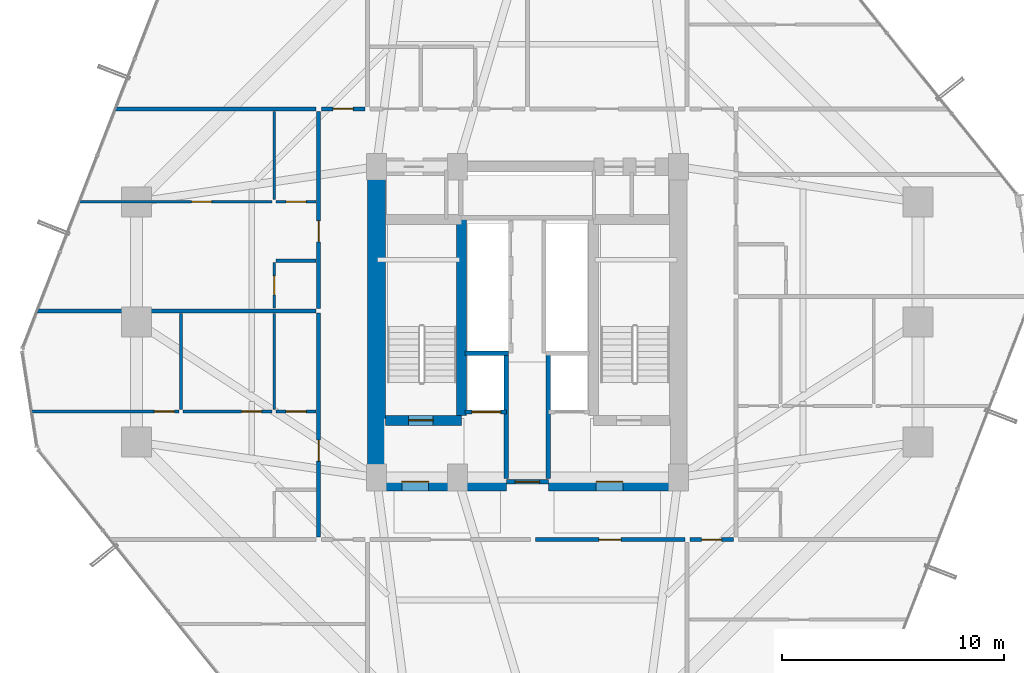
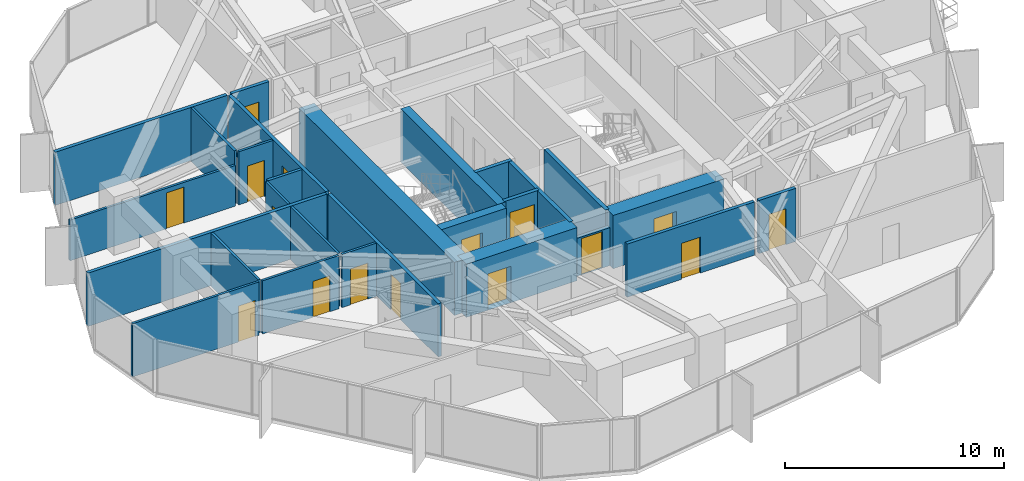
# One storey, part 33 of 37: 27 walls, 16 doors, 16 openings.
"""IFC4 building model written with IfcOpenShell, lengths in metres."""

from ifc_helpers import new_model, si_unit, direction, frame, frame_2d, origin, place, context, subcontext, project, spatial, rectangle, extrude, source, transform, mapped, material, layer, layer_set, type_object, element, fill, save


model = new_model("IFC4")

# Units and contexts
model_context = context("Model", 3, precision=1e-05, world=origin(), true_north=direction((0.0, 1.0)))
body_context = subcontext(model_context, "Body", "Model", "MODEL_VIEW")
ifc_project = project(units=[si_unit("LENGTHUNIT", "METRE"), si_unit("AREAUNIT", "SQUARE_METRE"), si_unit("VOLUMEUNIT", "CUBIC_METRE"), si_unit("PLANEANGLEUNIT", "RADIAN"), si_unit("MASSUNIT", "GRAM", prefix="KILO")], contexts=[model_context])

# Site, building, storey
site_placement = place(None, origin())
site = spatial("IfcSite", under=ifc_project, at=site_placement, CompositionType="ELEMENT")
building_placement = place(site_placement, origin())
building = spatial("IfcBuilding", under=site, at=building_placement, Name="Veraguas Prism Commons", CompositionType="ELEMENT")
storey_placement = place(building_placement, frame((0.0, 0.0, 53.300048828125)))
storey = spatial("IfcBuildingStorey", under=building, at=storey_placement, Name="L14", CompositionType="ELEMENT", Elevation=53.300048828125)

# Wall, opening, door
ifc_material_1 = material(Name="Concrete C60/75", Category="concrete")
ifc_layer_1 = layer(ifc_material_1, 0.449951171875, Name="Core Internal Shear Wall Lower RC 450", Category="concrete")
ifc_layer_set_1 = layer_set([ifc_layer_1], Name="Concrete C60/75")
wall_type_1 = type_object("IfcWallType", Name="Core Internal Shear Wall Lower RC 450", PredefinedType="SHEAR", material=ifc_layer_set_1)
wall_1_placement = place(storey_placement, frame((17.60009765625, 19.574951171875, 0.0), z_axis=(0.0, 0.0, 1.0), x_axis=(1.0, 0.0, 0.0)))
wall_1 = element("IfcWall", 1, at=wall_1_placement, inside=storey, type_object=wall_type_1, Name="Stair ST-01 South Shear Wall L14", PredefinedType="SHEAR", context=body_context, shape_type="SweptSolid", body=[
    extrude(rectangle(XDim=3.4248046875, YDim=0.449951171875, at=frame_2d((1.71240234375, 0.0))), origin(), (0.0, 0.0, 1.0), 2.969970703125),
])
opening_1_placement = place(wall_1_placement, frame((1.050048828125, 0.0, 0.0)))
opening_1 = element("IfcOpeningElement", 2, at=opening_1_placement, cuts=wall_1, Name="Opening DR-05", PredefinedType="OPENING", context=body_context, shape_type="SweptSolid", body=[
    extrude(rectangle(XDim=1.10009765625, YDim=2.030029296875, at=frame_2d((0.550048828125, 1.01513671875))), frame((0.0, 0.23486328125, 0.0), z_axis=(0.0, -1.0, 0.0), x_axis=(1.0, 0.0, 0.0)), (0.0, 0.0, 1.0), 0.469970703125),
])
ifc_material_2 = material(Name="Steel fire-rated door assembly", Category="steel")
door_type_1 = type_object("IfcDoorType", Name="Protected Stair and Refuge Fire Door 1100x2030", OperationType="NOTDEFINED", PredefinedType="DOOR", material=ifc_material_2)
shared_shape_1 = source(origin(), body_context, "Body", "SweptSolid", [
    extrude(rectangle(XDim=1.10009765625, YDim=2.030029296875, at=frame_2d((0.550048828125, 1.01513671875))), frame((0.0, 0.02490234375, 0.0), z_axis=(0.0, -1.0, 0.0), x_axis=(1.0, 0.0, 0.0)), (0.0, 0.0, 1.0), 0.050048828125),
])
door_1_placement = place(opening_1_placement, origin())
door_1 = element("IfcDoor", 3, at=door_1_placement, inside=storey, type_object=door_type_1, Name="Stair ST-01 Enclosure Door L14", OperationType="SINGLE_SWING_LEFT", OverallHeight=2.030029296875, OverallWidth=1.10009765625, PredefinedType="DOOR", context=body_context, shape_type="MappedRepresentation", body=[
    mapped(shared_shape_1, transform((0.0, 0.0, 0.0), scale=1.0)),
])
fill(opening_1, door_1)

# Walls
wall_2_placement = place(storey_placement, frame((21.02490234375, 19.800048828125, 0.0), z_axis=(0.0, 0.0, 1.0), x_axis=(0.0, 1.0, 0.0)))
element("IfcWall", 4, at=wall_2_placement, inside=storey, type_object=wall_type_1, Name="Stair ST-01 Inner Shear Wall L14", PredefinedType="SHEAR", context=body_context, shape_type="SweptSolid", body=[
    extrude(rectangle(XDim=8.824951171875, YDim=0.449951171875, at=frame_2d((4.41259765625, 0.0))), origin(), (0.0, 0.0, 1.0), 2.969970703125),
])
ifc_layer_2 = layer(ifc_material_1, 0.800048828125, Name="Core Outer Shear Wall Lower RC 800", Category="concrete")
ifc_layer_set_2 = layer_set([ifc_layer_2], Name="Concrete C60/75")
wall_type_2 = type_object("IfcWallType", Name="Core Outer Shear Wall Lower RC 800", PredefinedType="SHEAR", material=ifc_layer_set_2)
wall_3_placement = place(storey_placement, frame((17.199951171875, 16.800048828125, 0.0), z_axis=(0.0, 0.0, 1.0), x_axis=(0.0, 1.0, 0.0)))
element("IfcWall", 5, at=wall_3_placement, inside=storey, type_object=wall_type_2, Name="Central Core West Shear Wall L14", PredefinedType="SHEAR", context=body_context, shape_type="SweptSolid", body=[
    extrude(rectangle(XDim=14.199951171875, YDim=0.800048828125, at=frame_2d((7.10009765625, 0.0))), origin(), (0.0, 0.0, 1.0), 2.969970703125),
])

# Wall, opening, door
wall_4_placement = place(storey_placement, frame((17.199951171875, 16.800048828125, 0.0), z_axis=(0.0, 0.0, 1.0), x_axis=(1.0, 0.0, 0.0)))
wall_4 = element("IfcWall", 6, at=wall_4_placement, inside=storey, type_object=wall_type_2, Name="Central Core South-West Shear Wall L14", PredefinedType="SHEAR", context=body_context, shape_type="SweptSolid", body=[
    extrude(rectangle(XDim=5.85009765625, YDim=0.800048828125, at=frame_2d((2.925048828125, 0.0))), origin(), (0.0, 0.0, 1.0), 2.969970703125),
])
opening_2_placement = place(wall_4_placement, frame((1.14990234375, 0.0, 0.0)))
opening_2 = element("IfcOpeningElement", 7, at=opening_2_placement, cuts=wall_4, Name="Opening DR-06", PredefinedType="OPENING", context=body_context, shape_type="SweptSolid", body=[
    extrude(rectangle(XDim=1.199951171875, YDim=2.030029296875, at=frame_2d((0.60009765625, 1.01513671875))), frame((0.0, 0.409912109375, 0.0), z_axis=(0.0, -1.0, 0.0), x_axis=(1.0, 0.0, 0.0)), (0.0, 0.0, 1.0), 0.820068359375),
])
door_type_2 = type_object("IfcDoorType", Name="Firefighting Lobby Smoke Door 1200x2030", OperationType="NOTDEFINED", PredefinedType="DOOR", material=ifc_material_2)
shared_shape_2 = source(origin(), body_context, "Body", "SweptSolid", [
    extrude(rectangle(XDim=1.199951171875, YDim=2.030029296875, at=frame_2d((0.60009765625, 1.01513671875))), frame((0.0, 0.02490234375, 0.0), z_axis=(0.0, -1.0, 0.0), x_axis=(1.0, 0.0, 0.0)), (0.0, 0.0, 1.0), 0.050048828125),
])
door_2_placement = place(opening_2_placement, origin())
door_2 = element("IfcDoor", 8, at=door_2_placement, inside=storey, type_object=door_type_2, Name="West FF Lobby Door L14", OperationType="SINGLE_SWING_LEFT", OverallHeight=2.030029296875, OverallWidth=1.199951171875, PredefinedType="DOOR", context=body_context, shape_type="MappedRepresentation", body=[
    mapped(shared_shape_2, transform((0.0, 0.0, 0.0), scale=1.0)),
])
fill(opening_2, door_2)

wall_5_placement = place(storey_placement, frame((24.949951171875, 16.800048828125, 0.0), z_axis=(0.0, 0.0, 1.0), x_axis=(1.0, 0.0, 0.0)))
wall_5 = element("IfcWall", 9, at=wall_5_placement, inside=storey, type_object=wall_type_2, Name="Central Core South-East Shear Wall L14", PredefinedType="SHEAR", context=body_context, shape_type="SweptSolid", body=[
    extrude(rectangle(XDim=5.85009765625, YDim=0.800048828125, at=frame_2d((2.925048828125, 0.0))), origin(), (0.0, 0.0, 1.0), 2.969970703125),
])
opening_3_placement = place(wall_5_placement, frame((2.14990234375, 0.0, 0.0)))
opening_3 = element("IfcOpeningElement", 10, at=opening_3_placement, cuts=wall_5, Name="Opening DR-06", PredefinedType="OPENING", context=body_context, shape_type="SweptSolid", body=[
    extrude(rectangle(XDim=1.199951171875, YDim=2.030029296875, at=frame_2d((0.60009765625, 1.01513671875))), frame((0.0, 0.409912109375, 0.0), z_axis=(0.0, -1.0, 0.0), x_axis=(1.0, 0.0, 0.0)), (0.0, 0.0, 1.0), 0.820068359375),
])
door_3_placement = place(opening_3_placement, origin())
door_3 = element("IfcDoor", 11, at=door_3_placement, inside=storey, type_object=door_type_2, Name="East FF Lobby Door L14", OperationType="SINGLE_SWING_LEFT", OverallHeight=2.030029296875, OverallWidth=1.199951171875, PredefinedType="DOOR", context=body_context, shape_type="MappedRepresentation", body=[
    mapped(shared_shape_2, transform((0.0, 0.0, 0.0), scale=1.0)),
])
fill(opening_3, door_3)

ifc_material_3 = material(Name="Autoclaved aerated masonry block 10 MPa", Category="masonry")
ifc_layer_3 = layer(ifc_material_3, 0.179931640625, Name="Corridor and Inter-Tenancy Partition 180", Category="masonry")
ifc_layer_set_3 = layer_set([ifc_layer_3], Name="Autoclaved aerated masonry block 10 MPa")
wall_type_3 = type_object("IfcWallType", Name="Corridor and Inter-Tenancy Partition 180", PredefinedType="PARTITIONING", material=ifc_layer_set_3)
wall_6_placement = place(storey_placement, frame((24.367919921875, 14.199951171875, 0.0), z_axis=(0.0, 0.0, 1.0), x_axis=(1.0, 0.0, 0.0)))
wall_6 = element("IfcWall", 12, at=wall_6_placement, inside=storey, type_object=wall_type_3, Name="WL-L14-PT004", PredefinedType="PARTITIONING", context=body_context, shape_type="SweptSolid", body=[
    extrude(rectangle(XDim=6.72216796875, YDim=0.179931640625, at=frame_2d((3.361083984375, 0.0))), origin(), (0.0, 0.0, 1.0), 2.969970703125),
])
opening_4_placement = place(wall_6_placement, frame((2.861083984375, 0.0, 0.0)))
opening_4 = element("IfcOpeningElement", 13, at=opening_4_placement, cuts=wall_6, Name="Opening DR-13", PredefinedType="OPENING", context=body_context, shape_type="SweptSolid", body=[
    extrude(rectangle(XDim=1.0, YDim=2.010009765625, at=frame_2d((0.5, 1.0048828125))), frame((0.0, 0.099853515625, 0.0), z_axis=(0.0, -1.0, 0.0), x_axis=(1.0, 0.0, 0.0)), (0.0, 0.0, 1.0), 0.199951171875),
])
door_type_3 = type_object("IfcDoorType", Name="Core Accessible WC and Clinic Fire Door 1000x2010", OperationType="NOTDEFINED", PredefinedType="DOOR", material=ifc_material_2)
shared_shape_3 = source(origin(), body_context, "Body", "SweptSolid", [
    extrude(rectangle(XDim=1.0, YDim=2.010009765625, at=frame_2d((0.5, 1.0048828125))), frame((0.0, 0.02490234375, 0.0), z_axis=(0.0, -1.0, 0.0), x_axis=(1.0, 0.0, 0.0)), (0.0, 0.0, 1.0), 0.050048828125),
])
door_4_placement = place(opening_4_placement, origin())
door_4 = element("IfcDoor", 14, at=door_4_placement, inside=storey, type_object=door_type_3, Name="Community Multipurpose Assembly Hall Door 2", OperationType="SINGLE_SWING_RIGHT", OverallHeight=2.010009765625, OverallWidth=1.0, PredefinedType="DOOR", context=body_context, shape_type="MappedRepresentation", body=[
    mapped(shared_shape_3, transform((0.0, 0.0, 0.0), scale=1.0)),
])
fill(opening_4, door_4)

# Wall
wall_7_placement = place(storey_placement, frame((14.47998046875, 33.60009765625, 0.0), z_axis=(0.0, 0.0, 1.0), x_axis=(-1.0, 0.0, 0.0)))
element("IfcWall", 15, at=wall_7_placement, inside=storey, type_object=wall_type_3, Name="WL-L14-PT017", PredefinedType="PARTITIONING", context=body_context, shape_type="SweptSolid", body=[
    extrude(rectangle(XDim=9.082763671875, YDim=0.179931640625, at=frame_2d((4.54150390625, 0.0))), origin(), (0.0, 0.0, 1.0), 2.969970703125),
])

# Wall, opening, door
wall_8_placement = place(storey_placement, frame((14.60009765625, 14.31005859375, 0.0), z_axis=(0.0, 0.0, 1.0), x_axis=(0.0, 1.0, 0.0)))
wall_8 = element("IfcWall", 16, at=wall_8_placement, inside=storey, type_object=wall_type_3, Name="WL-L14-PT018", PredefinedType="PARTITIONING", context=body_context, shape_type="SweptSolid", body=[
    extrude(rectangle(XDim=10.087890625, YDim=0.179931640625, at=frame_2d((5.0439453125, 0.0))), origin(), (0.0, 0.0, 1.0), 2.969970703125),
])
opening_5_placement = place(wall_8_placement, frame((3.426025390625, 0.0, 0.0)))
opening_5 = element("IfcOpeningElement", 17, at=opening_5_placement, cuts=wall_8, Name="Opening DR-01", PredefinedType="OPENING", context=body_context, shape_type="SweptSolid", body=[
    extrude(rectangle(XDim=0.949951171875, YDim=2.02001953125, at=frame_2d((0.47509765625, 1.010009765625))), frame((0.0, 0.099853515625, 0.0), z_axis=(0.0, -1.0, 0.0), x_axis=(1.0, 0.0, 0.0)), (0.0, 0.0, 1.0), 0.199951171875),
])
ifc_material_4 = material(Name="Anodised aluminium EN AW-6063 T6", Category="aluminium")
door_type_4 = type_object("IfcDoorType", Name="Apartment Entrance Fire Door 950x2020", OperationType="NOTDEFINED", PredefinedType="DOOR", material=ifc_material_4)
shared_shape_4 = source(origin(), body_context, "Body", "SweptSolid", [
    extrude(rectangle(XDim=0.949951171875, YDim=2.02001953125, at=frame_2d((0.47509765625, 1.010009765625))), frame((0.0, 0.02490234375, 0.0), z_axis=(0.0, -1.0, 0.0), x_axis=(1.0, 0.0, 0.0)), (0.0, 0.0, 1.0), 0.050048828125),
])
door_5_placement = place(opening_5_placement, origin())
door_5 = element("IfcDoor", 18, at=door_5_placement, inside=storey, type_object=door_type_4, Name="Flat 14A Entrance Door", OperationType="SINGLE_SWING_LEFT", OverallHeight=2.02001953125, OverallWidth=0.949951171875, PredefinedType="DOOR", context=body_context, shape_type="MappedRepresentation", body=[
    mapped(shared_shape_4, transform((0.0, 0.0, 0.0), scale=1.0)),
])
fill(opening_5, door_5)

# Wall
wall_9_placement = place(storey_placement, frame((14.47998046875, 24.508056640625, 0.0), z_axis=(0.0, 0.0, 1.0), x_axis=(-1.0, 0.0, 0.0)))
element("IfcWall", 19, at=wall_9_placement, inside=storey, type_object=wall_type_3, Name="WL-L14-PT026", PredefinedType="PARTITIONING", context=body_context, shape_type="SweptSolid", body=[
    extrude(rectangle(XDim=12.60546875, YDim=0.179931640625, at=frame_2d((6.302734375, 0.0))), origin(), (0.0, 0.0, 1.0), 2.969970703125),
])

# Wall, opening, door
wall_10_placement = place(storey_placement, frame((14.60009765625, 24.617919921875, 0.0), z_axis=(0.0, 0.0, 1.0), x_axis=(0.0, 1.0, 0.0)))
wall_10 = element("IfcWall", 20, at=wall_10_placement, inside=storey, type_object=wall_type_3, Name="WL-L14-PT027", PredefinedType="PARTITIONING", context=body_context, shape_type="SweptSolid", body=[
    extrude(rectangle(XDim=8.8720703125, YDim=0.179931640625, at=frame_2d((4.43603515625, 0.0))), origin(), (0.0, 0.0, 1.0), 2.969970703125),
])
opening_6_placement = place(wall_10_placement, frame((2.9951171875, 0.0, 0.0)))
opening_6 = element("IfcOpeningElement", 21, at=opening_6_placement, cuts=wall_10, Name="Opening DR-01", PredefinedType="OPENING", context=body_context, shape_type="SweptSolid", body=[
    extrude(rectangle(XDim=0.949951171875, YDim=2.02001953125, at=frame_2d((0.47509765625, 1.010009765625))), frame((0.0, 0.099853515625, 0.0), z_axis=(0.0, -1.0, 0.0), x_axis=(1.0, 0.0, 0.0)), (0.0, 0.0, 1.0), 0.199951171875),
])
door_6_placement = place(opening_6_placement, origin())
door_6 = element("IfcDoor", 22, at=door_6_placement, inside=storey, type_object=door_type_4, Name="Flat 14B Entrance Door", OperationType="SINGLE_SWING_RIGHT", OverallHeight=2.02001953125, OverallWidth=0.949951171875, PredefinedType="DOOR", context=body_context, shape_type="MappedRepresentation", body=[
    mapped(shared_shape_4, transform((0.0, 0.0, 0.0), scale=1.0)),
])
fill(opening_6, door_6)

wall_11_placement = place(storey_placement, frame((31.320068359375, 14.199951171875, 0.0), z_axis=(0.0, 0.0, 1.0), x_axis=(1.0, 0.0, 0.0)))
wall_11 = element("IfcWall", 23, at=wall_11_placement, inside=storey, type_object=wall_type_3, Name="WL-L14-PT051", PredefinedType="PARTITIONING", context=body_context, shape_type="SweptSolid", body=[
    extrude(rectangle(XDim=1.9599609375, YDim=0.179931640625, at=frame_2d((0.97998046875, 0.0))), origin(), (0.0, 0.0, 1.0), 2.969970703125),
])
opening_7_placement = place(wall_11_placement, frame((0.530029296875, 0.0, 0.0)))
opening_7 = element("IfcOpeningElement", 24, at=opening_7_placement, cuts=wall_11, Name="Opening DR-14", PredefinedType="OPENING", context=body_context, shape_type="SweptSolid", body=[
    extrude(rectangle(XDim=0.89990234375, YDim=2.010009765625, at=frame_2d((0.449951171875, 1.0048828125))), frame((0.0, 0.099853515625, 0.0), z_axis=(0.0, -1.0, 0.0), x_axis=(1.0, 0.0, 0.0)), (0.0, 0.0, 1.0), 0.199951171875),
])
door_type_5 = type_object("IfcDoorType", Name="Core Service Room Fire Door 900x2010", OperationType="NOTDEFINED", PredefinedType="DOOR", material=ifc_material_2)
shared_shape_5 = source(origin(), body_context, "Body", "SweptSolid", [
    extrude(rectangle(XDim=0.89990234375, YDim=2.010009765625, at=frame_2d((0.449951171875, 1.0048828125))), frame((0.0, 0.02490234375, 0.0), z_axis=(0.0, -1.0, 0.0), x_axis=(1.0, 0.0, 0.0)), (0.0, 0.0, 1.0), 0.050048828125),
])
door_7_placement = place(opening_7_placement, origin())
door_7 = element("IfcDoor", 25, at=door_7_placement, inside=storey, type_object=door_type_5, Name="Corner Study SE Door", OperationType="SINGLE_SWING_RIGHT", OverallHeight=2.010009765625, OverallWidth=0.89990234375, PredefinedType="DOOR", context=body_context, shape_type="MappedRepresentation", body=[
    mapped(shared_shape_5, transform((0.0, 0.0, 0.0), scale=1.0)),
])
fill(opening_7, door_7)

wall_12_placement = place(storey_placement, frame((14.719970703125, 33.60009765625, 0.0), z_axis=(0.0, 0.0, 1.0), x_axis=(1.0, 0.0, 0.0)))
wall_12 = element("IfcWall", 26, at=wall_12_placement, inside=storey, type_object=wall_type_3, Name="WL-L14-PT053", PredefinedType="PARTITIONING", context=body_context, shape_type="SweptSolid", body=[
    extrude(rectangle(XDim=1.9599609375, YDim=0.179931640625, at=frame_2d((0.97998046875, 0.0))), origin(), (0.0, 0.0, 1.0), 2.969970703125),
])
opening_8_placement = place(wall_12_placement, frame((0.530029296875, 0.0, 0.0)))
opening_8 = element("IfcOpeningElement", 27, at=opening_8_placement, cuts=wall_12, Name="Opening DR-14", PredefinedType="OPENING", context=body_context, shape_type="SweptSolid", body=[
    extrude(rectangle(XDim=0.89990234375, YDim=2.010009765625, at=frame_2d((0.449951171875, 1.0048828125))), frame((0.0, 0.099853515625, 0.0), z_axis=(0.0, -1.0, 0.0), x_axis=(1.0, 0.0, 0.0)), (0.0, 0.0, 1.0), 0.199951171875),
])
door_8_placement = place(opening_8_placement, origin())
door_8 = element("IfcDoor", 28, at=door_8_placement, inside=storey, type_object=door_type_5, Name="Residents Corner Study Room NW Door", OperationType="SINGLE_SWING_RIGHT", OverallHeight=2.010009765625, OverallWidth=0.89990234375, PredefinedType="DOOR", context=body_context, shape_type="MappedRepresentation", body=[
    mapped(shared_shape_5, transform((0.0, 0.0, 0.0), scale=1.0)),
])
fill(opening_8, door_8)

ifc_material_5 = material(Name="Lightweight acoustic gypsum board")
ifc_layer_4 = layer(ifc_material_5, 0.125, Name="Internal Apartment Room Partition 125")
ifc_layer_set_4 = layer_set([ifc_layer_4], Name="Lightweight acoustic gypsum board")
wall_type_4 = type_object("IfcWallType", Name="Internal Apartment Room Partition 125", PredefinedType="PARTITIONING", material=ifc_layer_set_4)
wall_13_placement = place(storey_placement, frame((14.47998046875, 19.971923828125, 0.0), z_axis=(0.0, 0.0, 1.0), x_axis=(-1.0, 0.0, 0.0)))
wall_13 = element("IfcWall", 29, at=wall_13_placement, inside=storey, type_object=wall_type_4, Name="WL-L14-PT021", PredefinedType="PARTITIONING", context=body_context, shape_type="SweptSolid", body=[
    extrude(rectangle(XDim=1.800048828125, YDim=0.125, at=frame_2d((0.89990234375, 0.0))), origin(), (0.0, 0.0, 1.0), 2.969970703125),
])
opening_9_placement = place(wall_13_placement, frame((0.449951171875, 0.0, 0.0)))
opening_9 = element("IfcOpeningElement", 30, at=opening_9_placement, cuts=wall_13, Name="Opening DR-02", PredefinedType="OPENING", context=body_context, shape_type="SweptSolid", body=[
    extrude(rectangle(XDim=0.89990234375, YDim=2.010009765625, at=frame_2d((0.449951171875, 1.0048828125))), frame((0.0, 0.072509765625, 0.0), z_axis=(0.0, -1.0, 0.0), x_axis=(1.0, 0.0, 0.0)), (0.0, 0.0, 1.0), 0.14501953125),
])
ifc_material_6 = material(Name="Timber solid core hardwood", Category="wood")
door_type_6 = type_object("IfcDoorType", Name="Internal Habitable Room Door 900x2010", OperationType="NOTDEFINED", PredefinedType="DOOR", material=ifc_material_6)
door_9_placement = place(opening_9_placement, origin())
door_9 = element("IfcDoor", 31, at=door_9_placement, inside=storey, type_object=door_type_6, Name="Flat 14A Kitchen Door", OperationType="SINGLE_SWING_LEFT", OverallHeight=2.010009765625, OverallWidth=0.89990234375, PredefinedType="DOOR", context=body_context, shape_type="MappedRepresentation", body=[
    mapped(shared_shape_5, transform((0.0, 0.0, 0.0), scale=1.0)),
])
fill(opening_9, door_9)

# Walls
for number, where, z_axis, x_axis, name in (
    (32, (12.60009765625, 20.072021484375, 0.0), (0.0, 0.0, 1.0), (0.0, 1.0, 0.0), "WL-L14-PT022"),
    (33, (8.39990234375, 20.072021484375, 0.0), (0.0, 0.0, 1.0), (0.0, 1.0, 0.0), "WL-L14-PT023"),
):
    element("IfcWall", number, at=place(storey_placement, frame(where, z_axis=z_axis, x_axis=x_axis)), inside=storey, type_object=wall_type_4, Name=name, PredefinedType="PARTITIONING", context=body_context, shape_type="SweptSolid", body=[
        extrude(rectangle(XDim=4.31591796875, YDim=0.125, at=frame_2d((2.157958984375, 0.0))), origin(), (0.0, 0.0, 1.0), 2.969970703125),
    ])

# Wall, opening, door
wall_14_placement = place(storey_placement, frame((12.5, 19.971923828125, 0.0), z_axis=(0.0, 0.0, 1.0), x_axis=(-1.0, 0.0, 0.0)))
wall_14 = element("IfcWall", 34, at=wall_14_placement, inside=storey, type_object=wall_type_4, Name="WL-L14-PT024", PredefinedType="PARTITIONING", context=body_context, shape_type="SweptSolid", body=[
    extrude(rectangle(XDim=4.02001953125, YDim=0.125, at=frame_2d((2.010009765625, 0.0))), origin(), (0.0, 0.0, 1.0), 2.969970703125),
])
opening_10_placement = place(wall_14_placement, frame((0.471923828125, 0.0, 0.0)))
opening_10 = element("IfcOpeningElement", 35, at=opening_10_placement, cuts=wall_14, Name="Opening DR-02", PredefinedType="OPENING", context=body_context, shape_type="SweptSolid", body=[
    extrude(rectangle(XDim=0.89990234375, YDim=2.010009765625, at=frame_2d((0.449951171875, 1.0048828125))), frame((0.0, 0.072509765625, 0.0), z_axis=(0.0, -1.0, 0.0), x_axis=(1.0, 0.0, 0.0)), (0.0, 0.0, 1.0), 0.14501953125),
])
door_10_placement = place(opening_10_placement, origin())
door_10 = element("IfcDoor", 36, at=door_10_placement, inside=storey, type_object=door_type_6, Name="Flat 14A Bedroom 1 Door", OperationType="SINGLE_SWING_RIGHT", OverallHeight=2.010009765625, OverallWidth=0.89990234375, PredefinedType="DOOR", context=body_context, shape_type="MappedRepresentation", body=[
    mapped(shared_shape_5, transform((0.0, 0.0, 0.0), scale=1.0)),
])
fill(opening_10, door_10)

wall_15_placement = place(storey_placement, frame((8.300048828125, 19.971923828125, 0.0), z_axis=(0.0, 0.0, 1.0), x_axis=(-1.0, 0.0, 0.0)))
wall_15 = element("IfcWall", 37, at=wall_15_placement, inside=storey, type_object=wall_type_4, Name="WL-L14-PT025", PredefinedType="PARTITIONING", context=body_context, shape_type="SweptSolid", body=[
    extrude(rectangle(XDim=6.677978515625, YDim=0.125, at=frame_2d((3.3388671875, 0.0))), origin(), (0.0, 0.0, 1.0), 2.969970703125),
])
opening_11_placement = place(wall_15_placement, frame((0.199951171875, 0.0, 0.0)))
opening_11 = element("IfcOpeningElement", 38, at=opening_11_placement, cuts=wall_15, Name="Opening DR-02", PredefinedType="OPENING", context=body_context, shape_type="SweptSolid", body=[
    extrude(rectangle(XDim=0.89990234375, YDim=2.010009765625, at=frame_2d((0.449951171875, 1.0048828125))), frame((0.0, 0.072509765625, 0.0), z_axis=(0.0, -1.0, 0.0), x_axis=(1.0, 0.0, 0.0)), (0.0, 0.0, 1.0), 0.14501953125),
])
door_11_placement = place(opening_11_placement, origin())
door_11 = element("IfcDoor", 39, at=door_11_placement, inside=storey, type_object=door_type_6, Name="Flat 14A Bedroom 2 Door", OperationType="SINGLE_SWING_LEFT", OverallHeight=2.010009765625, OverallWidth=0.89990234375, PredefinedType="DOOR", context=body_context, shape_type="MappedRepresentation", body=[
    mapped(shared_shape_5, transform((0.0, 0.0, 0.0), scale=1.0)),
])
fill(opening_11, door_11)

wall_16_placement = place(storey_placement, frame((12.60009765625, 24.6279296875, 0.0), z_axis=(0.0, 0.0, 1.0), x_axis=(0.0, 1.0, 0.0)))
wall_16 = element("IfcWall", 40, at=wall_16_placement, inside=storey, type_object=wall_type_4, Name="WL-L14-PT029", PredefinedType="PARTITIONING", context=body_context, shape_type="SweptSolid", body=[
    extrude(rectangle(XDim=2.050048828125, YDim=0.125, at=frame_2d((1.02490234375, 0.0))), origin(), (0.0, 0.0, 1.0), 2.969970703125),
])
opening_12_placement = place(wall_16_placement, frame((0.594970703125, 0.0, 0.0)))
opening_12 = element("IfcOpeningElement", 41, at=opening_12_placement, cuts=wall_16, Name="Opening DR-03", PredefinedType="OPENING", context=body_context, shape_type="SweptSolid", body=[
    extrude(rectangle(XDim=0.860107421875, YDim=2.010009765625, at=frame_2d((0.43017578125, 1.0048828125))), frame((0.0, 0.072509765625, 0.0), z_axis=(0.0, -1.0, 0.0), x_axis=(1.0, 0.0, 0.0)), (0.0, 0.0, 1.0), 0.14501953125),
])
ifc_material_7 = material(Name="Timber moisture-resistant leaf", Category="wood")
door_type_7 = type_object("IfcDoorType", Name="Internal Bathroom Door 860x2010", OperationType="NOTDEFINED", PredefinedType="DOOR", material=ifc_material_7)
shared_shape_6 = source(origin(), body_context, "Body", "SweptSolid", [
    extrude(rectangle(XDim=0.860107421875, YDim=2.010009765625, at=frame_2d((0.43017578125, 1.0048828125))), frame((0.0, 0.02490234375, 0.0), z_axis=(0.0, -1.0, 0.0), x_axis=(1.0, 0.0, 0.0)), (0.0, 0.0, 1.0), 0.050048828125),
])
door_12_placement = place(opening_12_placement, origin())
door_12 = element("IfcDoor", 42, at=door_12_placement, inside=storey, type_object=door_type_7, Name="Flat 14B Bathroom Door", OperationType="SINGLE_SWING_LEFT", OverallHeight=2.010009765625, OverallWidth=0.860107421875, PredefinedType="DOOR", context=body_context, shape_type="MappedRepresentation", body=[
    mapped(shared_shape_6, transform((0.0, 0.0, 0.0), scale=1.0)),
])
fill(opening_12, door_12)

wall_17_placement = place(storey_placement, frame((14.47998046875, 29.41796875, 0.0), z_axis=(0.0, 0.0, 1.0), x_axis=(-1.0, 0.0, 0.0)))
wall_17 = element("IfcWall", 43, at=wall_17_placement, inside=storey, type_object=wall_type_4, Name="WL-L14-PT030", PredefinedType="PARTITIONING", context=body_context, shape_type="SweptSolid", body=[
    extrude(rectangle(XDim=1.800048828125, YDim=0.125, at=frame_2d((0.89990234375, 0.0))), origin(), (0.0, 0.0, 1.0), 2.969970703125),
])
opening_13_placement = place(wall_17_placement, frame((0.449951171875, 0.0, 0.0)))
opening_13 = element("IfcOpeningElement", 44, at=opening_13_placement, cuts=wall_17, Name="Opening DR-02", PredefinedType="OPENING", context=body_context, shape_type="SweptSolid", body=[
    extrude(rectangle(XDim=0.89990234375, YDim=2.010009765625, at=frame_2d((0.449951171875, 1.0048828125))), frame((0.0, 0.072509765625, 0.0), z_axis=(0.0, -1.0, 0.0), x_axis=(1.0, 0.0, 0.0)), (0.0, 0.0, 1.0), 0.14501953125),
])
door_13_placement = place(opening_13_placement, origin())
door_13 = element("IfcDoor", 45, at=door_13_placement, inside=storey, type_object=door_type_6, Name="Flat 14B Kitchen Door", OperationType="SINGLE_SWING_RIGHT", OverallHeight=2.010009765625, OverallWidth=0.89990234375, PredefinedType="DOOR", context=body_context, shape_type="MappedRepresentation", body=[
    mapped(shared_shape_5, transform((0.0, 0.0, 0.0), scale=1.0)),
])
fill(opening_13, door_13)

# Wall
wall_18_placement = place(storey_placement, frame((12.60009765625, 29.51806640625, 0.0), z_axis=(0.0, 0.0, 1.0), x_axis=(0.0, 1.0, 0.0)))
element("IfcWall", 46, at=wall_18_placement, inside=storey, type_object=wall_type_4, Name="WL-L14-PT031", PredefinedType="PARTITIONING", context=body_context, shape_type="SweptSolid", body=[
    extrude(rectangle(XDim=3.9619140625, YDim=0.125, at=frame_2d((1.98095703125, 0.0))), origin(), (0.0, 0.0, 1.0), 2.969970703125),
])

# Wall, opening, door
wall_19_placement = place(storey_placement, frame((12.5, 29.41796875, 0.0), z_axis=(0.0, 0.0, 1.0), x_axis=(-1.0, 0.0, 0.0)))
wall_19 = element("IfcWall", 47, at=wall_19_placement, inside=storey, type_object=wall_type_4, Name="WL-L14-PT032", PredefinedType="PARTITIONING", context=body_context, shape_type="SweptSolid", body=[
    extrude(rectangle(XDim=8.72314453125, YDim=0.125, at=frame_2d((4.361572265625, 0.0))), origin(), (0.0, 0.0, 1.0), 2.26904296875),
])
opening_14_placement = place(wall_19_placement, frame((2.723876953125, 0.0, 0.0)))
opening_14 = element("IfcOpeningElement", 48, at=opening_14_placement, cuts=wall_19, Name="Opening DR-02", PredefinedType="OPENING", context=body_context, shape_type="SweptSolid", body=[
    extrude(rectangle(XDim=0.89990234375, YDim=2.010009765625, at=frame_2d((0.449951171875, 1.0048828125))), frame((0.0, 0.072509765625, 0.0), z_axis=(0.0, -1.0, 0.0), x_axis=(1.0, 0.0, 0.0)), (0.0, 0.0, 1.0), 0.14501953125),
])
door_14_placement = place(opening_14_placement, origin())
door_14 = element("IfcDoor", 49, at=door_14_placement, inside=storey, type_object=door_type_6, Name="Flat 14B Bedroom 1 Door", OperationType="SINGLE_SWING_LEFT", OverallHeight=2.010009765625, OverallWidth=0.89990234375, PredefinedType="DOOR", context=body_context, shape_type="MappedRepresentation", body=[
    mapped(shared_shape_5, transform((0.0, 0.0, 0.0), scale=1.0)),
])
fill(opening_14, door_14)

ifc_layer_5 = layer(ifc_material_3, 0.199951171875, Name="Rated Shaft and Lobby Block Wall 200", Category="masonry")
ifc_layer_set_5 = layer_set([ifc_layer_5], Name="Autoclaved aerated masonry block 10 MPa")
wall_type_5 = type_object("IfcWallType", Name="Rated Shaft and Lobby Block Wall 200", PredefinedType="SOLIDWALL", material=ifc_layer_set_5)
wall_20_placement = place(storey_placement, frame((23.050048828125, 16.800048828125, 0.0), z_axis=(0.0, 0.0, 1.0), x_axis=(1.0, 0.0, 0.0)))
wall_20 = element("IfcWall", 50, at=wall_20_placement, inside=storey, type_object=wall_type_5, Name="Central Core Lobby Entrance Wall L14", PredefinedType="SOLIDWALL", context=body_context, shape_type="SweptSolid", body=[
    extrude(rectangle(XDim=1.89990234375, YDim=0.199951171875, at=frame_2d((0.949951171875, 0.0))), origin(), (0.0, 0.0, 1.0), 2.119873046875),
])
opening_15_placement = place(wall_20_placement, frame((0.39990234375, 0.0, 0.0)))
opening_15 = element("IfcOpeningElement", 51, at=opening_15_placement, cuts=wall_20, Name="Opening DR-05", PredefinedType="OPENING", context=body_context, shape_type="SweptSolid", body=[
    extrude(rectangle(XDim=1.10009765625, YDim=2.030029296875, at=frame_2d((0.550048828125, 1.01513671875))), frame((0.0, 0.10986328125, 0.0), z_axis=(0.0, -1.0, 0.0), x_axis=(1.0, 0.0, 0.0)), (0.0, 0.0, 1.0), 0.219970703125),
])
door_15_placement = place(opening_15_placement, origin())
door_15 = element("IfcDoor", 52, at=door_15_placement, inside=storey, type_object=door_type_1, Name="Central Lobby Door L14", OperationType="SINGLE_SWING_RIGHT", OverallHeight=2.030029296875, OverallWidth=1.10009765625, PredefinedType="DOOR", context=body_context, shape_type="MappedRepresentation", body=[
    mapped(shared_shape_1, transform((0.0, 0.0, 0.0), scale=1.0)),
])
fill(opening_15, door_15)

wall_21_placement = place(storey_placement, frame((21.199951171875, 19.949951171875, 0.0), z_axis=(0.0, 0.0, 1.0), x_axis=(1.0, 0.0, 0.0)))
wall_21 = element("IfcWall", 53, at=wall_21_placement, inside=storey, type_object=wall_type_5, Name="Firefighting Lift FFL-1 Front Wall L14", PredefinedType="SOLIDWALL", context=body_context, shape_type="SweptSolid", body=[
    extrude(rectangle(XDim=1.85009765625, YDim=0.199951171875, at=frame_2d((0.925048828125, 0.0))), origin(), (0.0, 0.0, 1.0), 2.969970703125),
])
opening_16_placement = place(wall_21_placement, frame((0.300048828125, 0.0, 0.0)))
opening_16 = element("IfcOpeningElement", 54, at=opening_16_placement, cuts=wall_21, Name="Opening LD-02", PredefinedType="OPENING", context=body_context, shape_type="SweptSolid", body=[
    extrude(rectangle(XDim=1.300048828125, YDim=2.25, at=frame_2d((0.64990234375, 1.125))), frame((0.0, 0.10986328125, 0.0), z_axis=(0.0, -1.0, 0.0), x_axis=(1.0, 0.0, 0.0)), (0.0, 0.0, 1.0), 0.219970703125),
])
ifc_material_8 = material(Name="Stainless steel AISI 316", Category="steel")
door_type_8 = type_object("IfcDoorType", Name="Firefighting Lift Sliding Landing Door 1300x2250", OperationType="NOTDEFINED", PredefinedType="DOOR", material=ifc_material_8)
shared_shape_7 = source(origin(), body_context, "Body", "SweptSolid", [
    extrude(rectangle(XDim=1.300048828125, YDim=2.25, at=frame_2d((0.64990234375, 1.125))), frame((0.0, 0.02490234375, 0.0), z_axis=(0.0, -1.0, 0.0), x_axis=(1.0, 0.0, 0.0)), (0.0, 0.0, 1.0), 0.050048828125),
])
door_16_placement = place(opening_16_placement, origin())
door_16 = element("IfcDoor", 55, at=door_16_placement, inside=storey, type_object=door_type_8, Name="Firefighting Lift FFL-1 Landing Door L14", OperationType="SLIDING_TO_LEFT", OverallHeight=2.25, OverallWidth=1.300048828125, PredefinedType="DOOR", context=body_context, shape_type="MappedRepresentation", body=[
    mapped(shared_shape_7, transform((0.0, 0.0, 0.0), scale=1.0)),
])
fill(opening_16, door_16)

# Walls
for number, where, z_axis, x_axis, name in (
    (56, (23.050048828125, 16.949951171875, 0.0), (0.0, 0.0, 1.0), (0.0, 1.0, 0.0), "West FF Lobby Divider Wall L14"),
    (57, (24.949951171875, 16.949951171875, 0.0), (0.0, 0.0, 1.0), (0.0, 1.0, 0.0), "East FF Lobby Divider Wall L14"),
):
    element("IfcWall", number, at=place(storey_placement, frame(where, z_axis=z_axis, x_axis=x_axis)), inside=storey, type_object=wall_type_5, Name=name, PredefinedType="SOLIDWALL", context=body_context, shape_type="SweptSolid", body=[
        extrude(rectangle(XDim=5.60009765625, YDim=0.199951171875, at=frame_2d((2.800048828125, 0.0))), origin(), (0.0, 0.0, 1.0), 2.969970703125),
    ])
wall_22_placement = place(storey_placement, frame((21.199951171875, 22.60009765625, 0.0), z_axis=(0.0, 0.0, 1.0), x_axis=(1.0, 0.0, 0.0)))
element("IfcWall", 58, at=wall_22_placement, inside=storey, type_object=wall_type_5, Name="Firefighting Lift FFL-1 Rear Wall L14", PredefinedType="SOLIDWALL", context=body_context, shape_type="SweptSolid", body=[
    extrude(rectangle(XDim=1.949951171875, YDim=0.199951171875, at=frame_2d((0.97509765625, 0.0))), origin(), (0.0, 0.0, 1.0), 2.969970703125),
])
ifc_layer_6 = layer(ifc_material_5, 0.14990234375, Name="Wet Room and Clinic Acoustic Partition 150")
ifc_layer_set_6 = layer_set([ifc_layer_6], Name="Lightweight acoustic gypsum board")
wall_type_6 = type_object("IfcWallType", Name="Wet Room and Clinic Acoustic Partition 150", PredefinedType="PARTITIONING", material=ifc_layer_set_6)
wall_23_placement = place(storey_placement, frame((14.47998046875, 26.758056640625, 0.0), z_axis=(0.0, 0.0, 1.0), x_axis=(-1.0, 0.0, 0.0)))
element("IfcWall", 59, at=wall_23_placement, inside=storey, type_object=wall_type_6, Name="WL-L14-PT028", PredefinedType="PARTITIONING", context=body_context, shape_type="SweptSolid", body=[
    extrude(rectangle(XDim=1.800048828125, YDim=0.14990234375, at=frame_2d((0.89990234375, 0.0))), origin(), (0.0, 0.0, 1.0), 2.969970703125),
])

save(model, "model.ifc")
